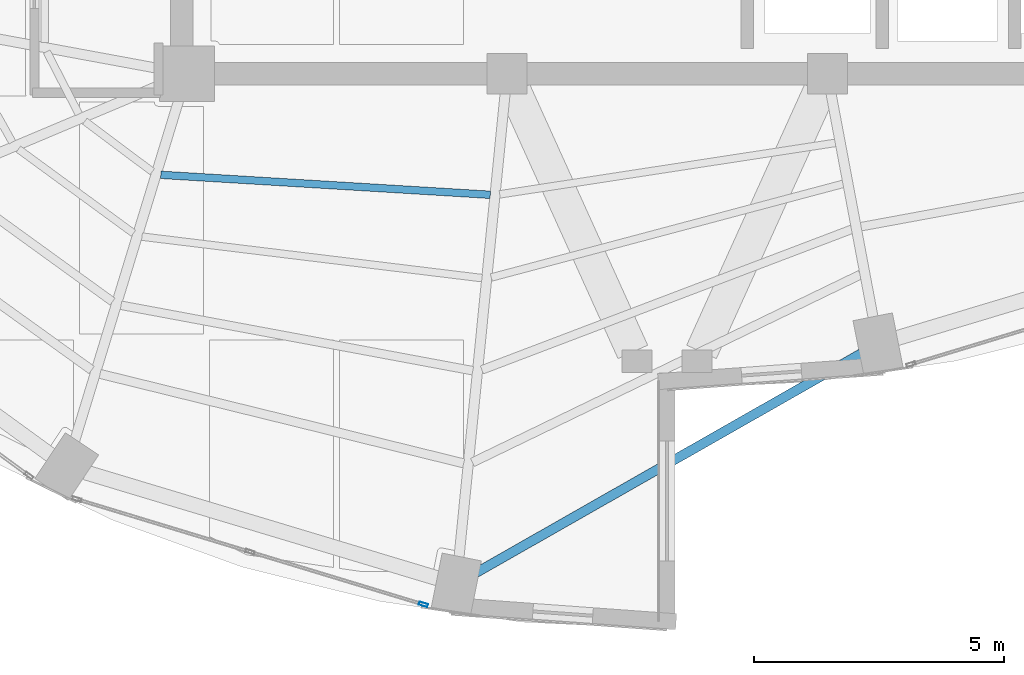
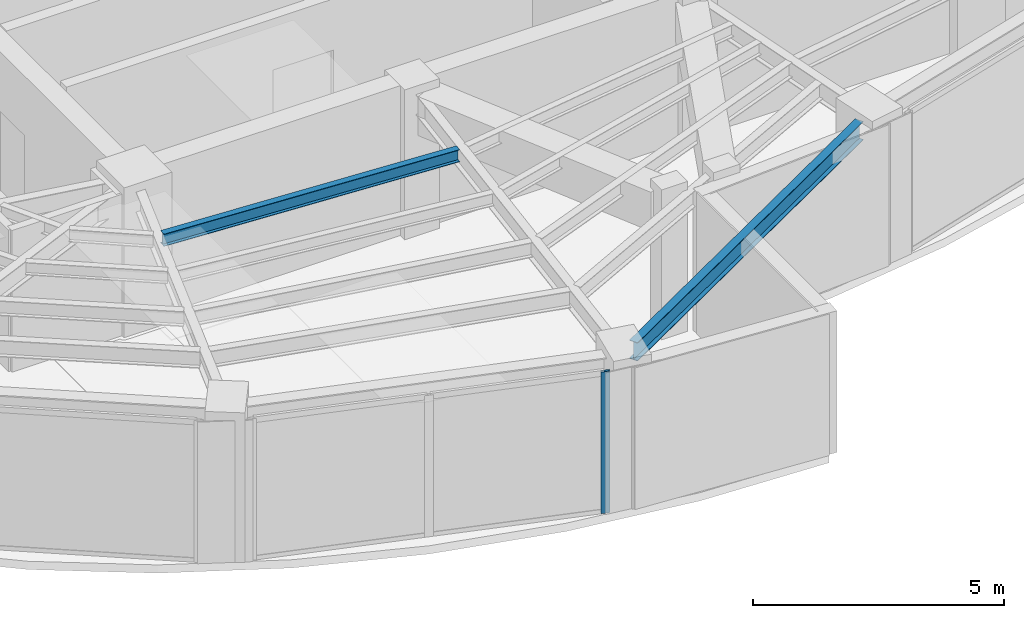
# One storey, part 5 of 22: 2 beams, 1 member, 1 element without a shape of its own.
"""IFC4 building model written with IfcOpenShell, lengths in metres."""

from ifc_helpers import new_model, si_unit, direction, frame, origin, origin_2d, place, context, subcontext, project, spatial, hollow_rectangle, i_section, extrude, material, layer, layer_set, material_profile, profile_set, type_object, element, aggregate, save


model = new_model("IFC4")

# Units and contexts
model_context = context("Model", 3, precision=1e-05, world=origin(), true_north=direction((0.0, 1.0)))
body_context = subcontext(model_context, "Body", "Model", "MODEL_VIEW")
ifc_project = project(units=[si_unit("LENGTHUNIT", "METRE"), si_unit("AREAUNIT", "SQUARE_METRE"), si_unit("VOLUMEUNIT", "CUBIC_METRE"), si_unit("PLANEANGLEUNIT", "RADIAN"), si_unit("MASSUNIT", "GRAM", prefix="KILO")], contexts=[model_context])

# Site, building, storey
site_placement = place(None, origin())
site = spatial("IfcSite", under=ifc_project, at=site_placement, CompositionType="ELEMENT")
building_placement = place(site_placement, origin())
building = spatial("IfcBuilding", under=site, at=building_placement, Name="Lazwardi Medical Tower", CompositionType="ELEMENT")
storey_placement = place(building_placement, frame((0.0, 0.0, 238.60791015625)))
storey = spatial("IfcBuildingStorey", under=building, at=storey_placement, Name="L62", CompositionType="ELEMENT", Elevation=238.60791015625)

# Beams
ifc_material_1 = material(Name="Steel S355", Category="steel")
ifc_material_profile_1 = material_profile(ifc_material_1, i_section(OverallWidth=0.14990234375, OverallDepth=0.300048828125, WebThickness=0.007080078125, FlangeThickness=0.0107421875, at=origin_2d()), Name="IPE 300")
ifc_profile_set_1 = profile_set([ifc_material_profile_1], Name="Steel S355")
beam_type_1 = type_object("IfcBeamType", Name="BM-SJ-03", PredefinedType="JOIST", material=ifc_profile_set_1)
beam_1_placement = place(storey_placement, frame((25.879150390625, 18.3798828125, 3.298095703125), z_axis=(0.998165515862, -0.060544223044, 0.0), x_axis=(0.060544223044, 0.998165515862, 0.0)))
element("IfcBeam", 1, at=beam_1_placement, inside=storey, type_object=beam_type_1, Name="Secondary joist SJ-03 R4 B15 L62", PredefinedType="JOIST", context=body_context, shape_type="SweptSolid", body=[
    extrude(i_section(OverallWidth=0.14990234375, OverallDepth=0.300048828125, WebThickness=0.007080078125, FlangeThickness=0.0107421875, at=origin_2d()), origin(), (0.0, 0.0, 1.0), 6.59716796875),
])
ifc_material_profile_2 = material_profile(ifc_material_1, i_section(OverallWidth=0.18994140625, OverallDepth=0.449951171875, WebThickness=0.009521484375, FlangeThickness=0.0146484375, at=origin_2d()), Name="IPE 450")
ifc_profile_set_2 = profile_set([ifc_material_profile_2], Name="Steel S355")
beam_type_2 = type_object("IfcBeamType", Name="BM-SP-01", PredefinedType="SPANDREL", material=ifc_profile_set_2)
beam_2_placement = place(storey_placement, frame((32.125, 10.394775390625, 3.22314453125), z_axis=(0.868954808466, 0.494891443494, 0.0), x_axis=(-0.494891443494, 0.868954808466, 0.0)))
element("IfcBeam", 2, at=beam_2_placement, inside=storey, type_object=beam_type_2, Name="Spandrel beam SP-01 B16 L62", PredefinedType="SPANDREL", context=body_context, shape_type="SweptSolid", body=[
    extrude(i_section(OverallWidth=0.18994140625, OverallDepth=0.449951171875, WebThickness=0.009521484375, FlangeThickness=0.0146484375, at=origin_2d()), origin(), (0.0, 0.0, 1.0), 8.918701171875),
])

# Curtain wall, member
ifc_material_2 = material(Name="Anodised bronze aluminium and solar control glazing", Category="aluminium")
ifc_layer = layer(ifc_material_2, 0.18994140625)
ifc_layer_set = layer_set([ifc_layer], Name="Anodised bronze aluminium and solar control glazing")
curtain_wall_type = type_object("IfcCurtainWallType", Name="CW-SYS-04", PredefinedType="NOTDEFINED", material=ifc_layer_set)
curtain_wall_placement = place(storey_placement, origin())
curtain_wall = element("IfcCurtainWall", 3, at=curtain_wall_placement, inside=storey, type_object=curtain_wall_type, Name="L62 Unitised bronze curtain wall CW-04", PredefinedType="NOTDEFINED")
ifc_material_3 = material(Name="Anodised bronze aluminium", Category="aluminium")
ifc_material_profile_3 = material_profile(ifc_material_3, hollow_rectangle(XDim=0.06494140625, YDim=0.179931640625, WallThickness=0.00390625, at=origin_2d()), Name="ALU-MULLION 180x65x4")
ifc_profile_set_3 = profile_set([ifc_material_profile_3], Name="Anodised bronze aluminium")
member_type = type_object("IfcMemberType", Name="CW-MUL-03", PredefinedType="MULLION", material=ifc_profile_set_3)
member_placement = place(storey_placement, frame((31.126953125, 9.79296875, 0.0), z_axis=(0.0, 0.0, 1.0), x_axis=(0.290581889515, 0.956850126972, 0.0)))
member = element("IfcMember", 4, at=member_placement, type_object=member_type, Name="CW-04 mullion 3", PredefinedType="MULLION", context=body_context, shape_type="SweptSolid", body=[
    extrude(hollow_rectangle(XDim=0.06494140625, YDim=0.179931640625, WallThickness=0.00390625, at=origin_2d()), origin(), (0.0, 0.0, 1.0), 3.447998046875),
])
aggregate(curtain_wall, [member])

save(model, "model.ifc")
